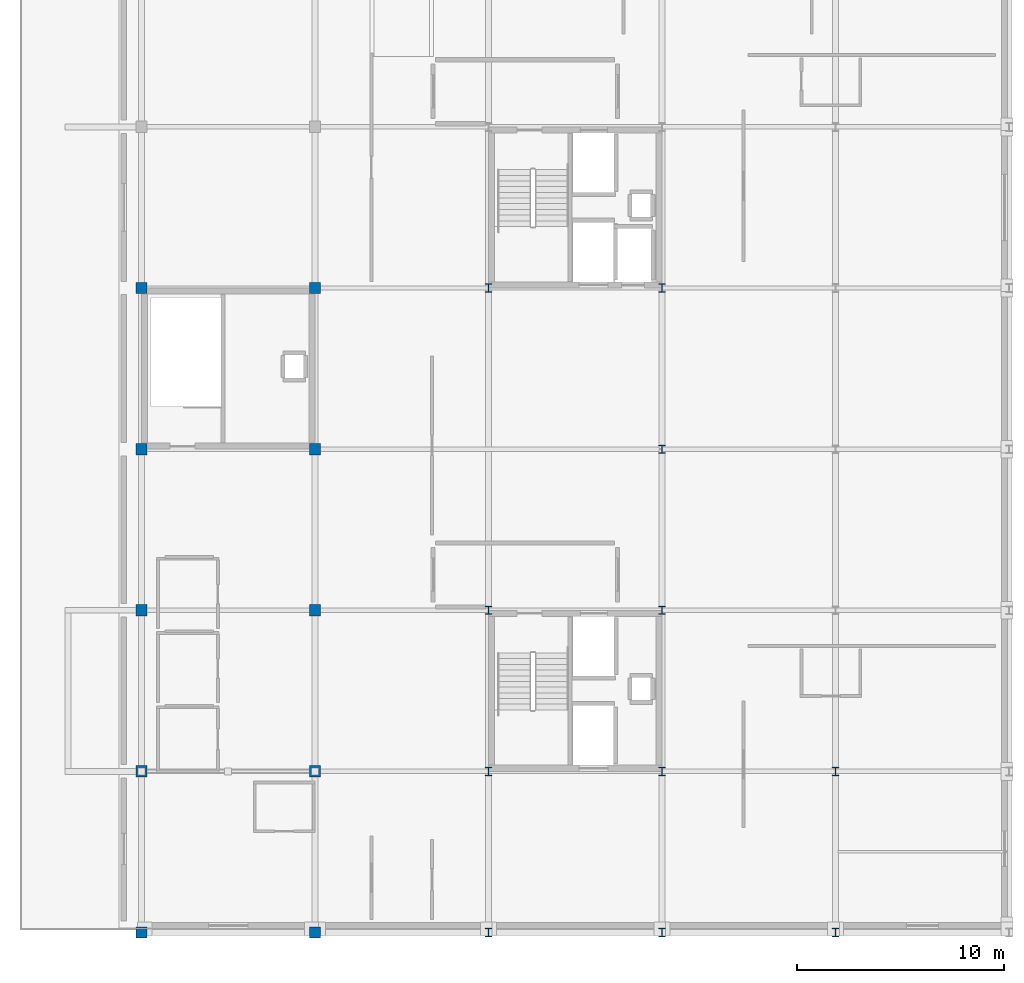
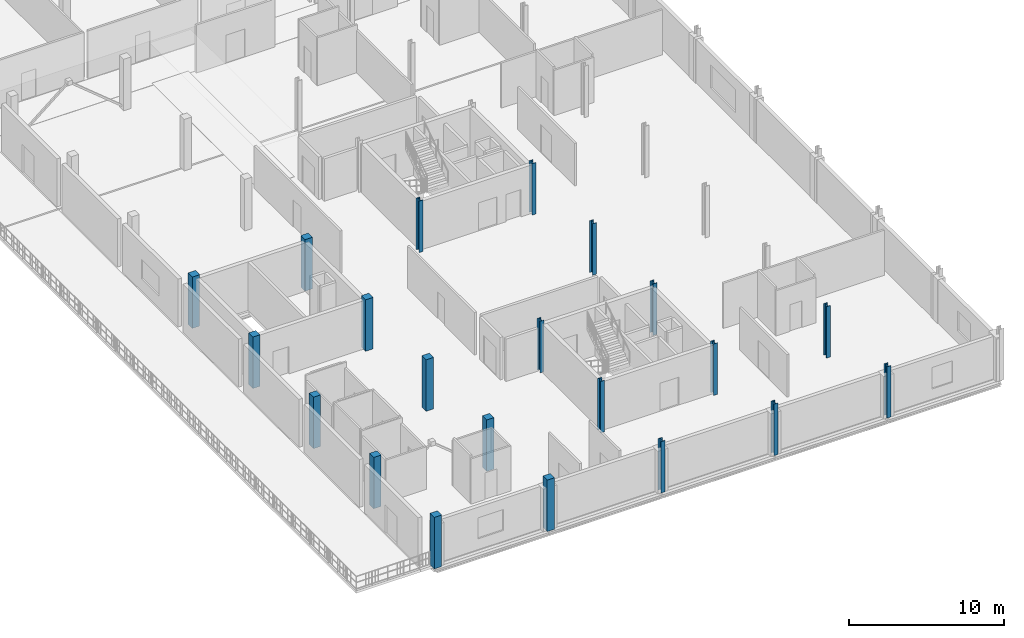
# One storey, part 1 of 16: 21 columns.
"""IFC4 building model written with IfcOpenShell, lengths in metres."""

from ifc_helpers import new_model, si_unit, direction, frame, origin, origin_2d, place, context, subcontext, project, spatial, rectangle, i_section, extrude, material, material_profile, profile_set, type_object, element, save


model = new_model("IFC4")

# Units and contexts
model_context = context("Model", 3, precision=1e-05, world=origin(), true_north=direction((0.0, 1.0)))
body_context = subcontext(model_context, "Body", "Model", "MODEL_VIEW")
ifc_project = project(units=[si_unit("LENGTHUNIT", "METRE"), si_unit("AREAUNIT", "SQUARE_METRE"), si_unit("VOLUMEUNIT", "CUBIC_METRE"), si_unit("PLANEANGLEUNIT", "RADIAN"), si_unit("MASSUNIT", "GRAM", prefix="KILO")], contexts=[model_context])

# Site, building, storey
site_placement = place(None, origin())
site = spatial("IfcSite", under=ifc_project, at=site_placement, CompositionType="ELEMENT")
building_placement = place(site_placement, origin())
building = spatial("IfcBuilding", under=site, at=building_placement, Name="Nabrawat Pavilion Hospital", CompositionType="ELEMENT")
storey_placement = place(building_placement, frame((0.0, 0.0, 31.050048828125)))
storey = spatial("IfcBuildingStorey", under=building, at=storey_placement, Name="L07", CompositionType="ELEMENT", Elevation=31.050048828125)

# Columns
ifc_material_1 = material(Name="Steel S355", Category="steel")
ifc_material_profile_1 = material_profile(ifc_material_1, i_section(OverallWidth=0.300048828125, OverallDepth=0.39990234375, WebThickness=0.013427734375, FlangeThickness=0.02392578125, FilletRadius=0.027099609375, at=origin_2d()), Name="HEB 400")
ifc_profile_set_1 = profile_set([ifc_material_profile_1], Name="Steel S355")
column_type_1 = type_object("IfcColumnType", Name="Composite Steel Column HEB 400", PredefinedType="COLUMN", material=ifc_profile_set_1)
for number, where, z_axis, x_axis, name in (
    (1, (168.0, 39.0, 0.0), (0.0, 0.0, 1.0), (1.0, 0.0, 0.0), "L07 Structural Column G-21-F1"),
    (2, (168.0, 46.800048828125, 0.0), (0.0, 0.0, 1.0), (1.0, 0.0, 0.0), "L07 Structural Column G-21-G"),
    (3, (168.0, 54.60009765625, 0.0), (0.0, 0.0, 1.0), (1.0, 0.0, 0.0), "L07 Structural Column G-21-H"),
    (4, (168.0, 70.199951171875, 0.0), (0.0, 0.0, 1.0), (1.0, 0.0, 0.0), "L07 Structural Column G-21-K"),
    (5, (176.39990234375, 39.0, 0.0), (0.0, 0.0, 1.0), (1.0, 0.0, 0.0), "L07 Structural Column G-22-F1"),
    (6, (176.39990234375, 46.800048828125, 0.0), (0.0, 0.0, 1.0), (1.0, 0.0, 0.0), "L07 Structural Column G-22-G"),
    (7, (176.39990234375, 54.60009765625, 0.0), (0.0, 0.0, 1.0), (1.0, 0.0, 0.0), "L07 Structural Column G-22-H"),
    (8, (176.39990234375, 62.39990234375, 0.0), (0.0, 0.0, 1.0), (1.0, 0.0, 0.0), "L07 Structural Column G-22-J"),
    (9, (176.39990234375, 70.199951171875, 0.0), (0.0, 0.0, 1.0), (1.0, 0.0, 0.0), "L07 Structural Column G-22-K"),
    (10, (184.800048828125, 39.0, 0.0), (0.0, 0.0, 1.0), (1.0, 0.0, 0.0), "L07 Structural Column G-23-F1"),
    (11, (184.800048828125, 46.800048828125, 0.0), (0.0, 0.0, 1.0), (1.0, 0.0, 0.0), "L07 Structural Column G-23-G"),
):
    element("IfcColumn", number, at=place(storey_placement, frame(where, z_axis=z_axis, x_axis=x_axis)), inside=storey, type_object=column_type_1, Name=name, PredefinedType="COLUMN", context=body_context, shape_type="SweptSolid", body=[
        extrude(i_section(OverallWidth=0.300048828125, OverallDepth=0.39990234375, WebThickness=0.013427734375, FlangeThickness=0.02392578125, FilletRadius=0.027099609375, at=origin_2d()), origin(), (0.0, 0.0, 1.0), 4.050048828125),
    ])
ifc_material_2 = material(Name="Concrete C40/50", Category="concrete")
ifc_material_profile_2 = material_profile(ifc_material_2, rectangle(XDim=0.550048828125, YDim=0.550048828125, at=origin_2d()), Name="RC 550x550")
ifc_profile_set_2 = profile_set([ifc_material_profile_2], Name="Concrete C40/50")
column_type_2 = type_object("IfcColumnType", Name="Top Ward RC Column 550x550", PredefinedType="COLUMN", material=ifc_profile_set_2)
for number, where, z_axis, x_axis, name in (
    (12, (151.199951171875, 39.0, 0.0), (0.0, 0.0, 1.0), (1.0, 0.0, 0.0), "L07 Structural Column G-19-F1"),
    (13, (151.199951171875, 46.800048828125, 0.0), (0.0, 0.0, 1.0), (1.0, 0.0, 0.0), "L07 Structural Column G-19-G"),
    (14, (151.199951171875, 54.60009765625, 0.0), (0.0, 0.0, 1.0), (1.0, 0.0, 0.0), "L07 Structural Column G-19-H"),
    (15, (151.199951171875, 62.39990234375, 0.0), (0.0, 0.0, 1.0), (1.0, 0.0, 0.0), "L07 Structural Column G-19-J"),
    (16, (151.199951171875, 70.199951171875, 0.0), (0.0, 0.0, 1.0), (1.0, 0.0, 0.0), "L07 Structural Column G-19-K"),
    (17, (159.60009765625, 39.0, 0.0), (0.0, 0.0, 1.0), (1.0, 0.0, 0.0), "L07 Structural Column G-20-F1"),
    (18, (159.60009765625, 46.800048828125, 0.0), (0.0, 0.0, 1.0), (1.0, 0.0, 0.0), "L07 Structural Column G-20-G"),
    (19, (159.60009765625, 54.60009765625, 0.0), (0.0, 0.0, 1.0), (1.0, 0.0, 0.0), "L07 Structural Column G-20-H"),
    (20, (159.60009765625, 62.39990234375, 0.0), (0.0, 0.0, 1.0), (1.0, 0.0, 0.0), "L07 Structural Column G-20-J"),
    (21, (159.60009765625, 70.199951171875, 0.0), (0.0, 0.0, 1.0), (1.0, 0.0, 0.0), "L07 Structural Column G-20-K"),
):
    element("IfcColumn", number, at=place(storey_placement, frame(where, z_axis=z_axis, x_axis=x_axis)), inside=storey, type_object=column_type_2, Name=name, PredefinedType="COLUMN", context=body_context, shape_type="SweptSolid", body=[
        extrude(rectangle(XDim=0.550048828125, YDim=0.550048828125, at=origin_2d()), origin(), (0.0, 0.0, 1.0), 4.050048828125),
    ])

save(model, "model.ifc")
